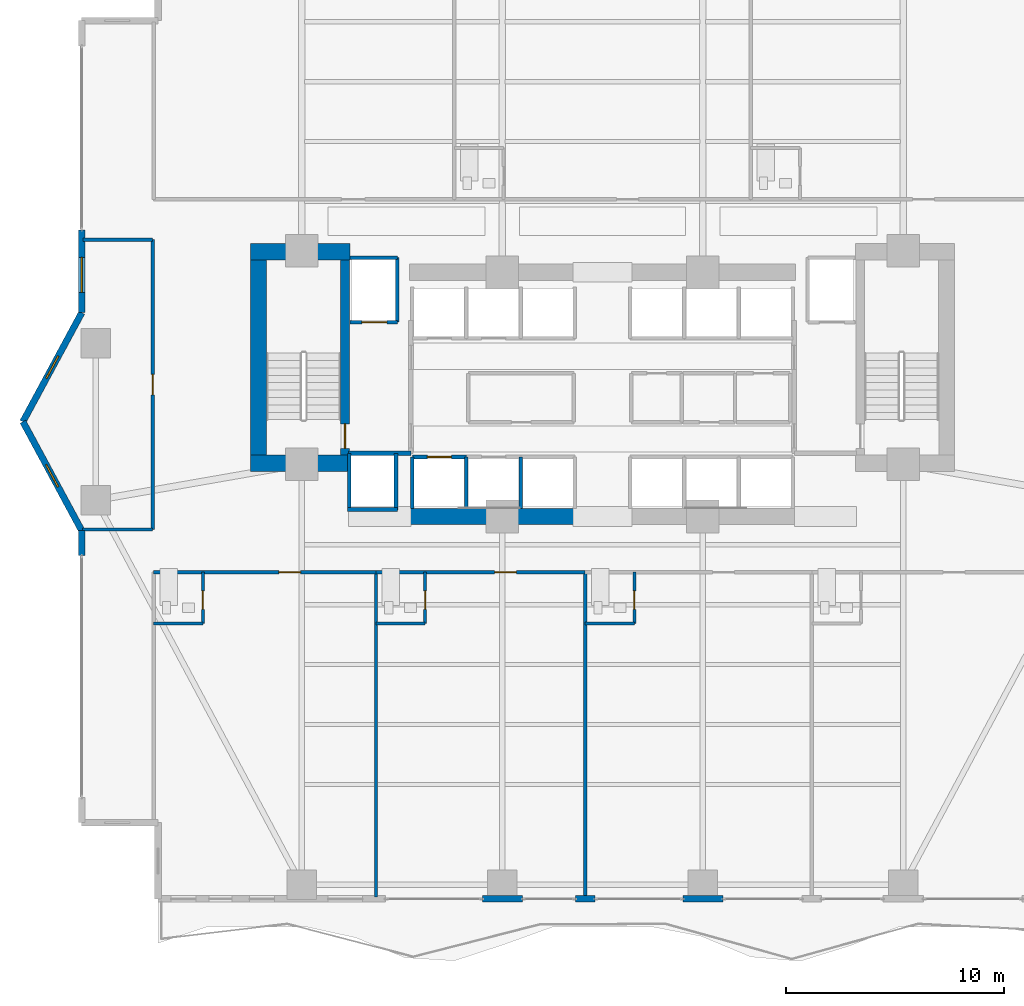
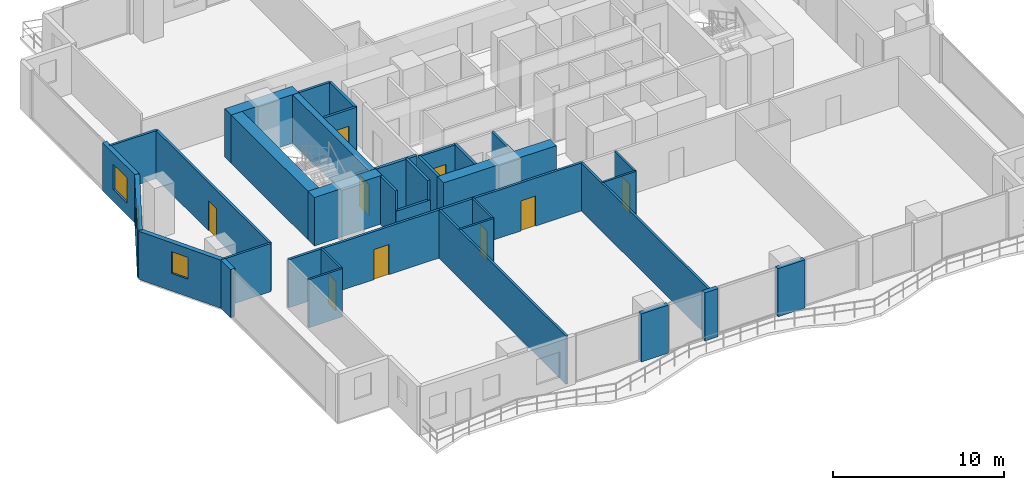
# One storey, part 21 of 28: 36 walls, 9 doors, 3 windows, 12 openings.
"""IFC4 building model written with IfcOpenShell, lengths in metres."""

from ifc_helpers import new_model, si_unit, direction, frame, frame_2d, origin, place, context, subcontext, project, spatial, rectangle, extrude, material, layer, layer_set, type_object, element, fill, save


model = new_model("IFC4")

# Units and contexts
model_context = context("Model", 3, precision=1e-05, world=origin(), true_north=direction((0.0, 1.0)))
body_context = subcontext(model_context, "Body", "Model", "MODEL_VIEW")
ifc_project = project(units=[si_unit("LENGTHUNIT", "METRE"), si_unit("AREAUNIT", "SQUARE_METRE"), si_unit("VOLUMEUNIT", "CUBIC_METRE"), si_unit("PLANEANGLEUNIT", "RADIAN"), si_unit("MASSUNIT", "GRAM", prefix="KILO")], contexts=[model_context])

# Site, building, storey
site_placement = place(None, origin())
site = spatial("IfcSite", under=ifc_project, at=site_placement, CompositionType="ELEMENT")
building_placement = place(site_placement, origin())
building = spatial("IfcBuilding", under=site, at=building_placement, Name="Zuhayl Quay Hotel", CompositionType="ELEMENT")
storey_placement = place(building_placement, frame((0.0, 0.0, 143.10009765625)))
storey = spatial("IfcBuildingStorey", under=building, at=storey_placement, Name="L36", CompositionType="ELEMENT", Elevation=143.10009765625)

# Walls
ifc_material_1 = material(Name="Concrete C60/75", Category="concrete")
ifc_layer_1 = layer(ifc_material_1, 0.75, Name="Concrete C60/75", Category="concrete")
ifc_layer_set_1 = layer_set([ifc_layer_1], Name="Concrete C60/75")
wall_type_1 = type_object("IfcWallType", Name="WL_CORE_750", PredefinedType="SHEAR", material=ifc_layer_set_1)
wall_1_placement = place(storey_placement, frame((-16.159912109375, 14.304931640625, 0.0), z_axis=(0.0, 0.0, 1.0), x_axis=(1.0, 0.0, 0.0)))
element("IfcWall", 1, at=wall_1_placement, inside=storey, type_object=wall_type_1, Name="L36 Core Shear Wall CW_NW", PredefinedType="SHEAR", context=body_context, shape_type="SweptSolid", body=[
    extrude(rectangle(XDim=4.559814453125, YDim=0.75, at=frame_2d((2.27978515625, 0.0))), origin(), (0.0, 0.0, 1.0), 3.4599609375),
])
wall_2_placement = place(storey_placement, frame((-15.784912109375, 4.969970703125, 0.0), z_axis=(0.0, 0.0, 1.0), x_axis=(0.0, 1.0, 0.0)))
element("IfcWall", 2, at=wall_2_placement, inside=storey, type_object=wall_type_1, Name="L36 Core Shear Wall CW_W", PredefinedType="SHEAR", context=body_context, shape_type="SweptSolid", body=[
    extrude(rectangle(XDim=8.9599609375, YDim=0.75, at=frame_2d((4.47998046875, 0.0))), origin(), (0.0, 0.0, 1.0), 3.4599609375),
])
wall_3_placement = place(storey_placement, frame((-16.159912109375, 4.594970703125, 0.0), z_axis=(0.0, 0.0, 1.0), x_axis=(1.0, 0.0, 0.0)))
element("IfcWall", 3, at=wall_3_placement, inside=storey, type_object=wall_type_1, Name="L36 Core Shear Wall CW_SW", PredefinedType="SHEAR", context=body_context, shape_type="SweptSolid", body=[
    extrude(rectangle(XDim=4.559814453125, YDim=0.75, at=frame_2d((2.27978515625, 0.0))), origin(), (0.0, 0.0, 1.0), 3.4599609375),
])
wall_4_placement = place(storey_placement, frame((-8.85009765625, 2.14990234375, 0.0), z_axis=(0.0, 0.0, 1.0), x_axis=(1.0, 0.0, 0.0)))
element("IfcWall", 4, at=wall_4_placement, inside=storey, type_object=wall_type_1, Name="L36 Core Shear Wall CW_SC_W", PredefinedType="SHEAR", context=body_context, shape_type="SweptSolid", body=[
    extrude(rectangle(XDim=7.60009765625, YDim=0.75, at=frame_2d((3.800048828125, 0.0))), origin(), (0.0, 0.0, 1.0), 3.429931640625),
])
ifc_material_2 = material(Name="Precast concrete C45/55", Category="concrete")
ifc_layer_2 = layer(ifc_material_2, 0.300048828125, Name="Precast concrete C45/55", Category="concrete")
ifc_layer_set_2 = layer_set([ifc_layer_2], Name="Precast concrete C45/55")
wall_type_2 = type_object("IfcWallType", Name="WL_EXT_300", PredefinedType="STANDARD", material=ifc_layer_set_2)
wall_5_placement = place(storey_placement, frame((-23.89990234375, 0.35009765625, 0.0), z_axis=(0.0, 0.0, 1.0), x_axis=(0.0, 1.0, 0.0)))
element("IfcWall", 5, at=wall_5_placement, inside=storey, type_object=wall_type_2, Name="L36 Exterior Precast Wall ENV_L36_E02_EW2", PredefinedType="STANDARD", context=body_context, shape_type="SweptSolid", body=[
    extrude(rectangle(XDim=1.14990234375, YDim=0.300048828125, at=frame_2d((0.574951171875, 0.0))), origin(), (0.0, 0.0, 1.0), 3.429931640625),
])

# Wall, opening, window
wall_6_placement = place(storey_placement, frame((-23.89990234375, 1.5, 0.0), z_axis=(0.0, 0.0, 1.0), x_axis=(-0.475175525499, 0.879891027325, 0.0)))
wall_6 = element("IfcWall", 6, at=wall_6_placement, inside=storey, type_object=wall_type_2, Name="L36 Exterior Precast Wall ENV_L36_EW03", PredefinedType="STANDARD", context=body_context, shape_type="SweptSolid", body=[
    extrude(rectangle(XDim=5.6826171875, YDim=0.300048828125, at=frame_2d((2.84130859375, 0.0))), origin(), (0.0, 0.0, 1.0), 3.429931640625),
])
opening_1_placement = place(wall_6_placement, frame((2.290283203125, 0.0, 1.25)))
opening_1 = element("IfcOpeningElement", 7, at=opening_1_placement, cuts=wall_6, Name="Opening W01N", PredefinedType="OPENING", context=body_context, shape_type="SweptSolid", body=[
    extrude(rectangle(XDim=1.14990234375, YDim=1.550048828125, at=frame_2d((0.574951171875, 0.77490234375))), frame((0.0, 0.159912109375, 0.0), z_axis=(0.0, -1.0, 0.0), x_axis=(1.0, 0.0, 0.0)), (0.0, 0.0, 1.0), 0.320068359375),
])
ifc_material_3 = material(Name="Dark Ceramic-Fritted Solar Glass", Category="glass")
window_type_1 = type_object("IfcWindowType", Name="WN_NOTCH_1350", PartitioningType="SINGLE_PANEL", PredefinedType="WINDOW", material=ifc_material_3)
window_1_placement = place(opening_1_placement, origin())
window_1 = element("IfcWindow", 8, at=window_1_placement, inside=storey, type_object=window_type_1, Name="L36 Corner Notch Window 3", OverallHeight=1.550048828125, OverallWidth=1.14990234375, PartitioningType="SINGLE_PANEL", PredefinedType="WINDOW", context=body_context, shape_type="SweptSolid", body=[
    extrude(rectangle(XDim=1.14990234375, YDim=1.550048828125, at=frame_2d((0.574951171875, 0.77490234375))), frame((0.0, 0.030029296875, 0.0), z_axis=(0.0, -1.0, 0.0), x_axis=(1.0, 0.0, 0.0)), (0.0, 0.0, 1.0), 0.06005859375),
])
fill(opening_1, window_1)

wall_7_placement = place(storey_placement, frame((-26.60009765625, 6.5, 0.0), z_axis=(0.0, 0.0, 1.0), x_axis=(0.475175525499, 0.879891027325, 0.0)))
wall_7 = element("IfcWall", 9, at=wall_7_placement, inside=storey, type_object=wall_type_2, Name="L36 Exterior Precast Wall ENV_L36_EW04", PredefinedType="STANDARD", context=body_context, shape_type="SweptSolid", body=[
    extrude(rectangle(XDim=5.6826171875, YDim=0.300048828125, at=frame_2d((2.84130859375, 0.0))), origin(), (0.0, 0.0, 1.0), 3.429931640625),
])
opening_2_placement = place(wall_7_placement, frame((2.26611328125, 0.0, 1.25)))
opening_2 = element("IfcOpeningElement", 10, at=opening_2_placement, cuts=wall_7, Name="Opening W01N", PredefinedType="OPENING", context=body_context, shape_type="SweptSolid", body=[
    extrude(rectangle(XDim=1.14990234375, YDim=1.550048828125, at=frame_2d((0.574951171875, 0.77490234375))), frame((0.0, 0.159912109375, 0.0), z_axis=(0.0, -1.0, 0.0), x_axis=(1.0, 0.0, 0.0)), (0.0, 0.0, 1.0), 0.320068359375),
])
window_2_placement = place(opening_2_placement, origin())
window_2 = element("IfcWindow", 11, at=window_2_placement, inside=storey, type_object=window_type_1, Name="L36 Corner Notch Window 4", OverallHeight=1.550048828125, OverallWidth=1.14990234375, PartitioningType="SINGLE_PANEL", PredefinedType="WINDOW", context=body_context, shape_type="SweptSolid", body=[
    extrude(rectangle(XDim=1.14990234375, YDim=1.550048828125, at=frame_2d((0.574951171875, 0.77490234375))), frame((0.0, 0.030029296875, 0.0), z_axis=(0.0, -1.0, 0.0), x_axis=(1.0, 0.0, 0.0)), (0.0, 0.0, 1.0), 0.06005859375),
])
fill(opening_2, window_2)

wall_8_placement = place(storey_placement, frame((-23.89990234375, 11.5, 0.0), z_axis=(0.0, 0.0, 1.0), x_axis=(0.0, 1.0, 0.0)))
wall_8 = element("IfcWall", 12, at=wall_8_placement, inside=storey, type_object=wall_type_2, Name="L36 Exterior Precast Wall ENV_L36_E05_EW1", PredefinedType="STANDARD", context=body_context, shape_type="SweptSolid", body=[
    extrude(rectangle(XDim=3.800048828125, YDim=0.300048828125, at=frame_2d((1.89990234375, 0.0))), origin(), (0.0, 0.0, 1.0), 3.429931640625),
])
opening_3_placement = place(wall_8_placement, frame((0.93505859375, 0.0, 0.85009765625)))
opening_3 = element("IfcOpeningElement", 13, at=opening_3_placement, cuts=wall_8, Name="Opening W01", PredefinedType="OPENING", context=body_context, shape_type="SweptSolid", body=[
    extrude(rectangle(XDim=1.60009765625, YDim=1.800048828125, at=frame_2d((0.800048828125, 0.89990234375))), frame((0.0, 0.159912109375, 0.0), z_axis=(0.0, -1.0, 0.0), x_axis=(1.0, 0.0, 0.0)), (0.0, 0.0, 1.0), 0.320068359375),
])
window_type_2 = type_object("IfcWindowType", Name="WN_OPERABLE_1600", PartitioningType="DOUBLE_PANEL_VERTICAL", PredefinedType="WINDOW", material=ifc_material_3)
window_3_placement = place(opening_3_placement, origin())
window_3 = element("IfcWindow", 14, at=window_3_placement, inside=storey, type_object=window_type_2, Name="L36 Operable Facade Window 1-1", OverallHeight=1.800048828125, OverallWidth=1.60009765625, PartitioningType="SINGLE_PANEL", PredefinedType="WINDOW", context=body_context, shape_type="SweptSolid", body=[
    extrude(rectangle(XDim=1.60009765625, YDim=1.800048828125, at=frame_2d((0.800048828125, 0.89990234375))), frame((0.0, 0.030029296875, 0.0), z_axis=(0.0, -1.0, 0.0), x_axis=(1.0, 0.0, 0.0)), (0.0, 0.0, 1.0), 0.06005859375),
])
fill(opening_3, window_3)

# Walls
wall_9_placement = place(storey_placement, frame((5.52001953125, -15.39990234375, 0.0), z_axis=(0.0, 0.0, 1.0), x_axis=(-1.0, 0.0, 0.0)))
element("IfcWall", 15, at=wall_9_placement, inside=storey, type_object=wall_type_2, Name="L36 Exterior Precast Wall ENV_L36_S_EW4", PredefinedType="STANDARD", context=body_context, shape_type="SweptSolid", body=[
    extrude(rectangle(XDim=1.840087890625, YDim=0.300048828125, at=frame_2d((0.919921875, 0.0))), origin(), (0.0, 0.0, 1.0), 3.429931640625),
])
wall_10_placement = place(storey_placement, frame((-0.35009765625, -15.39990234375, 0.0), z_axis=(0.0, 0.0, 1.0), x_axis=(-1.0, 0.0, 0.0)))
element("IfcWall", 16, at=wall_10_placement, inside=storey, type_object=wall_type_2, Name="L36 Exterior Precast Wall ENV_L36_S_EW5", PredefinedType="STANDARD", context=body_context, shape_type="SweptSolid", body=[
    extrude(rectangle(XDim=0.89990234375, YDim=0.300048828125, at=frame_2d((0.449951171875, 0.0))), origin(), (0.0, 0.0, 1.0), 3.429931640625),
])
wall_11_placement = place(storey_placement, frame((-3.679931640625, -15.39990234375, 0.0), z_axis=(0.0, 0.0, 1.0), x_axis=(-1.0, 0.0, 0.0)))
element("IfcWall", 17, at=wall_11_placement, inside=storey, type_object=wall_type_2, Name="L36 Exterior Precast Wall ENV_L36_S_EW6", PredefinedType="STANDARD", context=body_context, shape_type="SweptSolid", body=[
    extrude(rectangle(XDim=1.840087890625, YDim=0.300048828125, at=frame_2d((0.919921875, 0.0))), origin(), (0.0, 0.0, 1.0), 3.429931640625),
])
ifc_material_4 = material(Name="Acoustic Gypsum Partition STC-58")
ifc_layer_3 = layer(ifc_material_4, 0.14990234375, Name="Acoustic Gypsum Partition STC-58")
ifc_layer_set_3 = layer_set([ifc_layer_3], Name="Acoustic Gypsum Partition STC-58")
wall_type_3 = type_object("IfcWallType", Name="WL_PART_150", PredefinedType="PARTITIONING", material=ifc_layer_set_3)
for number, where, z_axis, x_axis, name in (
    (18, (-10.39990234375, -15.320068359375, 0.0), (0.0, 0.0, 1.0), (0.0, 1.0, 0.0), "L36 Partition IW_L36_SU01_E"),
    (19, (-0.800048828125, -15.320068359375, 0.0), (0.0, 0.0, 1.0), (0.0, 1.0, 0.0), "L36 Partition IW_L36_SU02_E"),
):
    element("IfcWall", number, at=place(storey_placement, frame(where, z_axis=z_axis, x_axis=x_axis)), inside=storey, type_object=wall_type_3, Name=name, PredefinedType="PARTITIONING", context=body_context, shape_type="SweptSolid", body=[
        extrude(rectangle(XDim=14.920166015625, YDim=0.14990234375, at=frame_2d((7.4599609375, 0.0))), origin(), (0.0, 0.0, 1.0), 3.429931640625),
    ])
wall_12_placement = place(storey_placement, frame((-23.866943359375, 1.550048828125, 0.0), z_axis=(0.0, 0.0, 1.0), x_axis=(1.0, 0.0, 0.0)))
element("IfcWall", 20, at=wall_12_placement, inside=storey, type_object=wall_type_3, Name="L36 Partition IW_L36_WPROW_1_S", PredefinedType="PARTITIONING", context=body_context, shape_type="SweptSolid", body=[
    extrude(rectangle(XDim=3.217041015625, YDim=0.14990234375, at=frame_2d((1.6083984375, 0.0))), origin(), (0.0, 0.0, 1.0), 3.429931640625),
])
wall_13_placement = place(storey_placement, frame((-23.840087890625, 14.85009765625, 0.0), z_axis=(0.0, 0.0, 1.0), x_axis=(1.0, 0.0, 0.0)))
element("IfcWall", 21, at=wall_13_placement, inside=storey, type_object=wall_type_3, Name="L36 Partition IW_L36_WPROW_1_N", PredefinedType="PARTITIONING", context=body_context, shape_type="SweptSolid", body=[
    extrude(rectangle(XDim=3.190185546875, YDim=0.14990234375, at=frame_2d((1.59521484375, 0.0))), origin(), (0.0, 0.0, 1.0), 3.429931640625),
])

# Wall, opening, door
ifc_layer_4 = layer(ifc_material_4, 0.159912109375, Name="Acoustic Gypsum Partition STC-58")
ifc_layer_set_4 = layer_set([ifc_layer_4], Name="Acoustic Gypsum Partition STC-58")
wall_type_4 = type_object("IfcWallType", Name="WL_PART_CORR_160", PredefinedType="PARTITIONING", material=ifc_layer_set_4)
wall_14_placement = place(storey_placement, frame((-20.60009765625, -0.39990234375, 0.0), z_axis=(0.0, 0.0, 1.0), x_axis=(1.0, 0.0, 0.0)))
wall_14 = element("IfcWall", 22, at=wall_14_placement, inside=storey, type_object=wall_type_4, Name="L36 Partition IW_L36_SU01_COR", PredefinedType="PARTITIONING", context=body_context, shape_type="SweptSolid", body=[
    extrude(rectangle(XDim=10.2001953125, YDim=0.159912109375, at=frame_2d((5.10009765625, 0.0))), origin(), (0.0, 0.0, 1.0), 3.429931640625),
])
opening_4_placement = place(wall_14_placement, frame((5.75, 0.0, 0.0)))
opening_4 = element("IfcOpeningElement", 23, at=opening_4_placement, cuts=wall_14, Name="Opening D03L", PredefinedType="OPENING", context=body_context, shape_type="SweptSolid", body=[
    extrude(rectangle(XDim=1.0, YDim=2.14990234375, at=frame_2d((0.5, 1.074951171875))), frame((0.0, 0.08984375, 0.0), z_axis=(0.0, -1.0, 0.0), x_axis=(1.0, 0.0, 0.0)), (0.0, 0.0, 1.0), 0.179931640625),
])
ifc_material_5 = material(Name="Solid Walnut Acoustic Fire Door")
door_type_1 = type_object("IfcDoorType", Name="DR_SUITE_1000", OperationType="NOTDEFINED", PredefinedType="DOOR", material=ifc_material_5)
door_1_placement = place(opening_4_placement, origin())
door_1 = element("IfcDoor", 24, at=door_1_placement, inside=storey, type_object=door_type_1, Name="L36 City-View Junior Suite L36-01 Entrance Door", OperationType="SINGLE_SWING_LEFT", OverallHeight=2.14990234375, OverallWidth=1.0, PredefinedType="DOOR", context=body_context, shape_type="SweptSolid", body=[
    extrude(rectangle(XDim=1.0, YDim=2.14990234375, at=frame_2d((0.5, 1.074951171875))), frame((0.0, 0.02490234375, 0.0), z_axis=(0.0, -1.0, 0.0), x_axis=(1.0, 0.0, 0.0)), (0.0, 0.0, 1.0), 0.050048828125),
])
fill(opening_4, door_1)

wall_15_placement = place(storey_placement, frame((-10.39990234375, -0.39990234375, 0.0), z_axis=(0.0, 0.0, 1.0), x_axis=(1.0, 0.0, 0.0)))
wall_15 = element("IfcWall", 25, at=wall_15_placement, inside=storey, type_object=wall_type_4, Name="L36 Partition IW_L36_SU02_COR", PredefinedType="PARTITIONING", context=body_context, shape_type="SweptSolid", body=[
    extrude(rectangle(XDim=9.599853515625, YDim=0.159912109375, at=frame_2d((4.7998046875, 0.0))), origin(), (0.0, 0.0, 1.0), 3.429931640625),
])
opening_5_placement = place(wall_15_placement, frame((5.449951171875, 0.0, 0.0)))
opening_5 = element("IfcOpeningElement", 26, at=opening_5_placement, cuts=wall_15, Name="Opening D03L", PredefinedType="OPENING", context=body_context, shape_type="SweptSolid", body=[
    extrude(rectangle(XDim=1.0, YDim=2.14990234375, at=frame_2d((0.5, 1.074951171875))), frame((0.0, 0.08984375, 0.0), z_axis=(0.0, -1.0, 0.0), x_axis=(1.0, 0.0, 0.0)), (0.0, 0.0, 1.0), 0.179931640625),
])
door_2_placement = place(opening_5_placement, origin())
door_2 = element("IfcDoor", 27, at=door_2_placement, inside=storey, type_object=door_type_1, Name="L36 City-View Junior Suite L36-02 Entrance Door", OperationType="SINGLE_SWING_LEFT", OverallHeight=2.14990234375, OverallWidth=1.0, PredefinedType="DOOR", context=body_context, shape_type="SweptSolid", body=[
    extrude(rectangle(XDim=1.0, YDim=2.14990234375, at=frame_2d((0.5, 1.074951171875))), frame((0.0, 0.02490234375, 0.0), z_axis=(0.0, -1.0, 0.0), x_axis=(1.0, 0.0, 0.0)), (0.0, 0.0, 1.0), 0.050048828125),
])
fill(opening_5, door_2)

wall_16_placement = place(storey_placement, frame((-20.64990234375, 1.550048828125, 0.0), z_axis=(0.0, 0.0, 1.0), x_axis=(0.0, 1.0, 0.0)))
wall_16 = element("IfcWall", 28, at=wall_16_placement, inside=storey, type_object=wall_type_4, Name="L36 Partition IW_L36_WPROW_1_E", PredefinedType="PARTITIONING", context=body_context, shape_type="SweptSolid", body=[
    extrude(rectangle(XDim=13.300048828125, YDim=0.159912109375, at=frame_2d((6.64990234375, 0.0))), origin(), (0.0, 0.0, 1.0), 3.429931640625),
])
opening_6_placement = place(wall_16_placement, frame((6.175048828125, 0.0, 0.0)))
opening_6 = element("IfcOpeningElement", 29, at=opening_6_placement, cuts=wall_16, Name="Opening D03", PredefinedType="OPENING", context=body_context, shape_type="SweptSolid", body=[
    extrude(rectangle(XDim=0.949951171875, YDim=2.14990234375, at=frame_2d((0.47509765625, 1.074951171875))), frame((0.0, 0.08984375, 0.0), z_axis=(0.0, -1.0, 0.0), x_axis=(1.0, 0.0, 0.0)), (0.0, 0.0, 1.0), 0.179931640625),
])
door_type_2 = type_object("IfcDoorType", Name="DR_SUITE_950", OperationType="NOTDEFINED", PredefinedType="DOOR", material=ifc_material_5)
door_3_placement = place(opening_6_placement, origin())
door_3 = element("IfcDoor", 30, at=door_3_placement, inside=storey, type_object=door_type_2, Name="L36 West Prow Panoramic Salon L36 Door", OperationType="SINGLE_SWING_RIGHT", OverallHeight=2.14990234375, OverallWidth=0.949951171875, PredefinedType="DOOR", context=body_context, shape_type="SweptSolid", body=[
    extrude(rectangle(XDim=0.949951171875, YDim=2.14990234375, at=frame_2d((0.47509765625, 1.074951171875))), frame((0.0, 0.02490234375, 0.0), z_axis=(0.0, -1.0, 0.0), x_axis=(1.0, 0.0, 0.0)), (0.0, 0.0, 1.0), 0.050048828125),
])
fill(opening_6, door_3)

ifc_material_6 = material(Name="Moisture-Resistant Sanitarychase Gypsum")
ifc_layer_5 = layer(ifc_material_6, 0.135009765625, Name="Moisture-Resistant Sanitarychase Gypsum")
ifc_layer_set_5 = layer_set([ifc_layer_5], Name="Moisture-Resistant Sanitarychase Gypsum")
wall_type_5 = type_object("IfcWallType", Name="WL_PART_PLUMB_150", PredefinedType="PLUMBINGWALL", material=ifc_layer_set_5)
wall_17_placement = place(storey_placement, frame((-18.340087890625, -2.760009765625, 0.0), z_axis=(0.0, 0.0, 1.0), x_axis=(0.0, 1.0, 0.0)))
wall_17 = element("IfcWall", 31, at=wall_17_placement, inside=storey, type_object=wall_type_5, Name="L36 Partition IW_L36_SU01_BE", PredefinedType="PLUMBINGWALL", context=body_context, shape_type="SweptSolid", body=[
    extrude(rectangle(XDim=2.360107421875, YDim=0.135009765625, at=frame_2d((1.18017578125, 0.0))), origin(), (0.0, 0.0, 1.0), 3.429931640625),
])
opening_7_placement = place(wall_17_placement, frame((0.64990234375, 0.0, 0.0)))
opening_7 = element("IfcOpeningElement", 32, at=opening_7_placement, cuts=wall_17, Name="Opening D04", PredefinedType="OPENING", context=body_context, shape_type="SweptSolid", body=[
    extrude(rectangle(XDim=0.85009765625, YDim=2.10009765625, at=frame_2d((0.425048828125, 1.050048828125))), frame((0.0, 0.077392578125, 0.0), z_axis=(0.0, -1.0, 0.0), x_axis=(1.0, 0.0, 0.0)), (0.0, 0.0, 1.0), 0.155029296875),
])
ifc_material_7 = material(Name="Moisture-Resistant Walnut Veneer")
door_type_3 = type_object("IfcDoorType", Name="DR_BATH_850", OperationType="NOTDEFINED", PredefinedType="DOOR", material=ifc_material_7)
door_4_placement = place(opening_7_placement, origin())
door_4 = element("IfcDoor", 33, at=door_4_placement, inside=storey, type_object=door_type_3, Name="L36 City-View Junior Suite L36-01 En-Suite Door", OperationType="SINGLE_SWING_RIGHT", OverallHeight=2.10009765625, OverallWidth=0.85009765625, PredefinedType="DOOR", context=body_context, shape_type="SweptSolid", body=[
    extrude(rectangle(XDim=0.85009765625, YDim=2.10009765625, at=frame_2d((0.425048828125, 1.050048828125))), frame((0.0, 0.02490234375, 0.0), z_axis=(0.0, -1.0, 0.0), x_axis=(1.0, 0.0, 0.0)), (0.0, 0.0, 1.0), 0.050048828125),
])
fill(opening_7, door_4)

wall_18_placement = place(storey_placement, frame((-8.139892578125, -2.760009765625, 0.0), z_axis=(0.0, 0.0, 1.0), x_axis=(0.0, 1.0, 0.0)))
wall_18 = element("IfcWall", 34, at=wall_18_placement, inside=storey, type_object=wall_type_5, Name="L36 Partition IW_L36_SU02_BE", PredefinedType="PLUMBINGWALL", context=body_context, shape_type="SweptSolid", body=[
    extrude(rectangle(XDim=2.360107421875, YDim=0.135009765625, at=frame_2d((1.18017578125, 0.0))), origin(), (0.0, 0.0, 1.0), 3.429931640625),
])
opening_8_placement = place(wall_18_placement, frame((0.64990234375, 0.0, 0.0)))
opening_8 = element("IfcOpeningElement", 35, at=opening_8_placement, cuts=wall_18, Name="Opening D04", PredefinedType="OPENING", context=body_context, shape_type="SweptSolid", body=[
    extrude(rectangle(XDim=0.85009765625, YDim=2.10009765625, at=frame_2d((0.425048828125, 1.050048828125))), frame((0.0, 0.077392578125, 0.0), z_axis=(0.0, -1.0, 0.0), x_axis=(1.0, 0.0, 0.0)), (0.0, 0.0, 1.0), 0.155029296875),
])
door_5_placement = place(opening_8_placement, origin())
door_5 = element("IfcDoor", 36, at=door_5_placement, inside=storey, type_object=door_type_3, Name="L36 City-View Junior Suite L36-02 En-Suite Door", OperationType="SINGLE_SWING_RIGHT", OverallHeight=2.10009765625, OverallWidth=0.85009765625, PredefinedType="DOOR", context=body_context, shape_type="SweptSolid", body=[
    extrude(rectangle(XDim=0.85009765625, YDim=2.10009765625, at=frame_2d((0.425048828125, 1.050048828125))), frame((0.0, 0.02490234375, 0.0), z_axis=(0.0, -1.0, 0.0), x_axis=(1.0, 0.0, 0.0)), (0.0, 0.0, 1.0), 0.050048828125),
])
fill(opening_8, door_5)

wall_19_placement = place(storey_placement, frame((1.4599609375, -2.760009765625, 0.0), z_axis=(0.0, 0.0, 1.0), x_axis=(0.0, 1.0, 0.0)))
wall_19 = element("IfcWall", 37, at=wall_19_placement, inside=storey, type_object=wall_type_5, Name="L36 Partition IW_L36_SU03_BE", PredefinedType="PLUMBINGWALL", context=body_context, shape_type="SweptSolid", body=[
    extrude(rectangle(XDim=2.360107421875, YDim=0.135009765625, at=frame_2d((1.18017578125, 0.0))), origin(), (0.0, 0.0, 1.0), 3.429931640625),
])
opening_9_placement = place(wall_19_placement, frame((0.64990234375, 0.0, 0.0)))
opening_9 = element("IfcOpeningElement", 38, at=opening_9_placement, cuts=wall_19, Name="Opening D04", PredefinedType="OPENING", context=body_context, shape_type="SweptSolid", body=[
    extrude(rectangle(XDim=0.85009765625, YDim=2.10009765625, at=frame_2d((0.425048828125, 1.050048828125))), frame((0.0, 0.077392578125, 0.0), z_axis=(0.0, -1.0, 0.0), x_axis=(1.0, 0.0, 0.0)), (0.0, 0.0, 1.0), 0.155029296875),
])
door_6_placement = place(opening_9_placement, origin())
door_6 = element("IfcDoor", 39, at=door_6_placement, inside=storey, type_object=door_type_3, Name="L36 City-View Junior Suite L36-03 En-Suite Door", OperationType="SINGLE_SWING_RIGHT", OverallHeight=2.10009765625, OverallWidth=0.85009765625, PredefinedType="DOOR", context=body_context, shape_type="SweptSolid", body=[
    extrude(rectangle(XDim=0.85009765625, YDim=2.10009765625, at=frame_2d((0.425048828125, 1.050048828125))), frame((0.0, 0.02490234375, 0.0), z_axis=(0.0, -1.0, 0.0), x_axis=(1.0, 0.0, 0.0)), (0.0, 0.0, 1.0), 0.050048828125),
])
fill(opening_9, door_6)

# Walls
for number, where, z_axis, x_axis, name in (
    (40, (-20.60009765625, -2.760009765625, 0.0), (0.0, 0.0, 1.0), (1.0, 0.0, 0.0), "L36 Partition IW_L36_SU01_BS"),
    (41, (-10.39990234375, -2.760009765625, 0.0), (0.0, 0.0, 1.0), (1.0, 0.0, 0.0), "L36 Partition IW_L36_SU02_BS"),
    (42, (-0.800048828125, -2.760009765625, 0.0), (0.0, 0.0, 1.0), (1.0, 0.0, 0.0), "L36 Partition IW_L36_SU03_BS"),
):
    element("IfcWall", number, at=place(storey_placement, frame(where, z_axis=z_axis, x_axis=x_axis)), inside=storey, type_object=wall_type_5, Name=name, PredefinedType="PLUMBINGWALL", context=body_context, shape_type="SweptSolid", body=[
        extrude(rectangle(XDim=2.260009765625, YDim=0.135009765625, at=frame_2d((1.1298828125, 0.0))), origin(), (0.0, 0.0, 1.0), 3.429931640625),
    ])

# Wall, opening, door
ifc_material_8 = material(Name="Gypsum Fireboard Assembly EI-90")
ifc_layer_6 = layer(ifc_material_8, 0.1650390625, Name="Gypsum Fireboard Assembly EI-90")
ifc_layer_set_6 = layer_set([ifc_layer_6], Name="Gypsum Fireboard Assembly EI-90")
wall_type_6 = type_object("IfcWallType", Name="WL_PART_SHAFT_160", PredefinedType="PARTITIONING", material=ifc_layer_set_6)
wall_20_placement = place(storey_placement, frame((-11.580078125, 11.070068359375, 0.0), z_axis=(0.0, 0.0, 1.0), x_axis=(1.0, 0.0, 0.0)))
wall_20 = element("IfcWall", 43, at=wall_20_placement, inside=storey, type_object=wall_type_6, Name="L36 Partition IW_L36_SH_FL1_F", PredefinedType="PARTITIONING", context=body_context, shape_type="SweptSolid", body=[
    extrude(rectangle(XDim=2.16015625, YDim=0.1650390625, at=frame_2d((1.080078125, 0.0))), origin(), (0.0, 0.0, 1.0), 3.429931640625),
])
opening_10_placement = place(wall_20_placement, frame((0.530029296875, 0.0, 0.0)))
opening_10 = element("IfcOpeningElement", 44, at=opening_10_placement, cuts=wall_20, Name="Opening LD2", PredefinedType="OPENING", context=body_context, shape_type="SweptSolid", body=[
    extrude(rectangle(XDim=1.14990234375, YDim=2.25, at=frame_2d((0.574951171875, 1.125))), frame((0.0, 0.092529296875, 0.0), z_axis=(0.0, -1.0, 0.0), x_axis=(1.0, 0.0, 0.0)), (0.0, 0.0, 1.0), 0.18505859375),
])
ifc_material_9 = material(Name="Brushed Stainless Steel", Category="steel")
door_type_4 = type_object("IfcDoorType", Name="DR_LIFT_FF_1100", OperationType="SLIDING_TO_LEFT", PredefinedType="DOOR", material=ifc_material_9)
door_7_placement = place(opening_10_placement, origin())
door_7 = element("IfcDoor", 45, at=door_7_placement, inside=storey, type_object=door_type_4, Name="L36 Lift FL1 Sliding Landing Door", OperationType="SLIDING_TO_LEFT", OverallHeight=2.25, OverallWidth=1.14990234375, PredefinedType="DOOR", context=body_context, shape_type="SweptSolid", body=[
    extrude(rectangle(XDim=1.14990234375, YDim=2.25, at=frame_2d((0.574951171875, 1.125))), frame((0.0, 0.02490234375, 0.0), z_axis=(0.0, -1.0, 0.0), x_axis=(1.0, 0.0, 0.0)), (0.0, 0.0, 1.0), 0.050048828125),
])
fill(opening_10, door_7)

wall_21_placement = place(storey_placement, frame((-8.72998046875, 4.8798828125, 0.0), z_axis=(0.0, 0.0, 1.0), x_axis=(1.0, 0.0, 0.0)))
wall_21 = element("IfcWall", 46, at=wall_21_placement, inside=storey, type_object=wall_type_6, Name="L36 Partition IW_L36_SH_LP1_F", PredefinedType="PARTITIONING", context=body_context, shape_type="SweptSolid", body=[
    extrude(rectangle(XDim=2.47998046875, YDim=0.1650390625, at=frame_2d((1.239990234375, 0.0))), origin(), (0.0, 0.0, 1.0), 3.429931640625),
])
opening_11_placement = place(wall_21_placement, frame((0.68994140625, 0.0, 0.0)))
opening_11 = element("IfcOpeningElement", 47, at=opening_11_placement, cuts=wall_21, Name="Opening LD1", PredefinedType="OPENING", context=body_context, shape_type="SweptSolid", body=[
    extrude(rectangle(XDim=1.10009765625, YDim=2.25, at=frame_2d((0.550048828125, 1.125))), frame((0.0, 0.092529296875, 0.0), z_axis=(0.0, -1.0, 0.0), x_axis=(1.0, 0.0, 0.0)), (0.0, 0.0, 1.0), 0.18505859375),
])
door_type_5 = type_object("IfcDoorType", Name="DR_LIFT_PASS_1100", OperationType="SLIDING_TO_LEFT", PredefinedType="DOOR", material=ifc_material_9)
door_8_placement = place(opening_11_placement, origin())
door_8 = element("IfcDoor", 48, at=door_8_placement, inside=storey, type_object=door_type_5, Name="L36 Lift LP1 Sliding Landing Door", OperationType="SLIDING_TO_LEFT", OverallHeight=2.25, OverallWidth=1.10009765625, PredefinedType="DOOR", context=body_context, shape_type="SweptSolid", body=[
    extrude(rectangle(XDim=1.10009765625, YDim=2.25, at=frame_2d((0.550048828125, 1.125))), frame((0.0, 0.02490234375, 0.0), z_axis=(0.0, -1.0, 0.0), x_axis=(1.0, 0.0, 0.0)), (0.0, 0.0, 1.0), 0.050048828125),
])
fill(opening_11, door_8)

# Walls
wall_22_placement = place(storey_placement, frame((-9.419921875, 11.070068359375, 0.0), z_axis=(0.0, 0.0, 1.0), x_axis=(0.0, 1.0, 0.0)))
element("IfcWall", 49, at=wall_22_placement, inside=storey, type_object=wall_type_6, Name="L36 Partition IW_L36_SH_FL1_E", PredefinedType="PARTITIONING", context=body_context, shape_type="SweptSolid", body=[
    extrude(rectangle(XDim=2.9599609375, YDim=0.1650390625, at=frame_2d((1.47998046875, 0.0))), origin(), (0.0, 0.0, 1.0), 3.429931640625),
])
wall_23_placement = place(storey_placement, frame((-11.580078125, 14.030029296875, 0.0), z_axis=(0.0, 0.0, 1.0), x_axis=(1.0, 0.0, 0.0)))
element("IfcWall", 50, at=wall_23_placement, inside=storey, type_object=wall_type_6, Name="L36 Partition IW_L36_SH_FL1_B", PredefinedType="PARTITIONING", context=body_context, shape_type="SweptSolid", body=[
    extrude(rectangle(XDim=2.16015625, YDim=0.1650390625, at=frame_2d((1.080078125, 0.0))), origin(), (0.0, 0.0, 1.0), 3.429931640625),
])
for number, where, z_axis, x_axis, name in (
    (51, (-8.72998046875, 2.52001953125, 0.0), (0.0, 0.0, 1.0), (0.0, 1.0, 0.0), "L36 Partition IW_L36_SH_LP1_W"),
    (52, (-6.25, 2.52001953125, 0.0), (0.0, 0.0, 1.0), (0.0, 1.0, 0.0), "L36 Partition IW_L36_SH_LP1_E"),
    (53, (-3.75, 2.52001953125, 0.0), (0.0, 0.0, 1.0), (0.0, 1.0, 0.0), "L36 Partition IW_L36_SH_LP2_E"),
):
    element("IfcWall", number, at=place(storey_placement, frame(where, z_axis=z_axis, x_axis=x_axis)), inside=storey, type_object=wall_type_6, Name=name, PredefinedType="PARTITIONING", context=body_context, shape_type="SweptSolid", body=[
        extrude(rectangle(XDim=2.35986328125, YDim=0.1650390625, at=frame_2d((1.179931640625, 0.0))), origin(), (0.0, 0.0, 1.0), 3.429931640625),
    ])
wall_24_placement = place(storey_placement, frame((-11.6298828125, 2.469970703125, 0.0), z_axis=(0.0, 0.0, 1.0), x_axis=(0.0, 1.0, 0.0)))
element("IfcWall", 54, at=wall_24_placement, inside=storey, type_object=wall_type_6, Name="L36 Partition IW_L36_RISER_W", PredefinedType="PARTITIONING", context=body_context, shape_type="SweptSolid", body=[
    extrude(rectangle(XDim=2.580078125, YDim=0.1650390625, at=frame_2d((1.2900390625, 0.0))), origin(), (0.0, 0.0, 1.0), 3.429931640625),
])
wall_25_placement = place(storey_placement, frame((-11.7099609375, 2.469970703125, 0.0), z_axis=(0.0, 0.0, 1.0), x_axis=(1.0, 0.0, 0.0)))
element("IfcWall", 55, at=wall_25_placement, inside=storey, type_object=wall_type_6, Name="L36 Partition IW_L36_RISER_S", PredefinedType="PARTITIONING", context=body_context, shape_type="SweptSolid", body=[
    extrude(rectangle(XDim=2.31005859375, YDim=0.1650390625, at=frame_2d((1.155029296875, 0.0))), origin(), (0.0, 0.0, 1.0), 2.02978515625),
])
ifc_layer_7 = layer(ifc_material_8, 0.179931640625, Name="Gypsum Fireboard Assembly EI-90")
ifc_layer_set_7 = layer_set([ifc_layer_7], Name="Gypsum Fireboard Assembly EI-90")
wall_type_7 = type_object("IfcWallType", Name="WL_PART_SHAFT_180", PredefinedType="PARTITIONING", material=ifc_layer_set_7)
wall_26_placement = place(storey_placement, frame((-9.469970703125, 2.449951171875, 0.0), z_axis=(0.0, 0.0, 1.0), x_axis=(0.0, 1.0, 0.0)))
element("IfcWall", 56, at=wall_26_placement, inside=storey, type_object=wall_type_7, Name="L36 Partition IW_L36_RISER_E", PredefinedType="PARTITIONING", context=body_context, shape_type="SweptSolid", body=[
    extrude(rectangle(XDim=2.60009765625, YDim=0.179931640625, at=frame_2d((1.300048828125, 0.0))), origin(), (0.0, 0.0, 1.0), 3.429931640625),
])
ifc_material_10 = material(Name="Gypsum Fireboard Assembly EI-120")
ifc_layer_8 = layer(ifc_material_10, 0.199951171875, Name="Gypsum Fireboard Assembly EI-120")
ifc_layer_set_8 = layer_set([ifc_layer_8], Name="Gypsum Fireboard Assembly EI-120")
wall_type_8 = type_object("IfcWallType", Name="WL_PART_SHAFT_200", PredefinedType="PARTITIONING", material=ifc_layer_set_8)
wall_27_placement = place(storey_placement, frame((-11.64990234375, 5.050048828125, 0.0), z_axis=(0.0, 0.0, 1.0), x_axis=(1.0, 0.0, 0.0)))
element("IfcWall", 57, at=wall_27_placement, inside=storey, type_object=wall_type_8, Name="L36 Partition IW_L36_FSAE_W_S", PredefinedType="PARTITIONING", context=body_context, shape_type="SweptSolid", body=[
    extrude(rectangle(XDim=2.849853515625, YDim=0.199951171875, at=frame_2d((1.4248046875, 0.0))), origin(), (0.0, 0.0, 1.0), 3.429931640625),
])

# Wall, opening, door
ifc_layer_9 = layer(ifc_material_1, 0.39990234375, Name="Concrete C60/75", Category="concrete")
ifc_layer_set_9 = layer_set([ifc_layer_9], Name="Concrete C60/75")
wall_type_9 = type_object("IfcWallType", Name="WL_STAIR_400", PredefinedType="SHEAR", material=ifc_layer_set_9)
wall_28_placement = place(storey_placement, frame((-11.820068359375, 4.969970703125, 0.0), z_axis=(0.0, 0.0, 1.0), x_axis=(0.0, 1.0, 0.0)))
wall_28 = element("IfcWall", 58, at=wall_28_placement, inside=storey, type_object=wall_type_9, Name="L36 Core Shear Wall SW_ST1", PredefinedType="SHEAR", context=body_context, shape_type="SweptSolid", body=[
    extrude(rectangle(XDim=8.9599609375, YDim=0.39990234375, at=frame_2d((4.47998046875, 0.0))), origin(), (0.0, 0.0, 1.0), 3.4599609375),
])
opening_12_placement = place(wall_28_placement, frame((0.31005859375, 0.0, 0.0)))
opening_12 = element("IfcOpeningElement", 59, at=opening_12_placement, cuts=wall_28, Name="Opening D01", PredefinedType="OPENING", context=body_context, shape_type="SweptSolid", body=[
    extrude(rectangle(XDim=1.1201171875, YDim=2.219970703125, at=frame_2d((0.56005859375, 1.10986328125))), frame((0.0, 0.2099609375, 0.0), z_axis=(0.0, -1.0, 0.0), x_axis=(1.0, 0.0, 0.0)), (0.0, 0.0, 1.0), 0.419921875),
])
ifc_material_11 = material(Name="Steel ASTM A992 Grade 50", Category="steel")
door_type_6 = type_object("IfcDoorType", Name="DR_STAIR_90_1100", OperationType="NOTDEFINED", PredefinedType="DOOR", material=ifc_material_11)
door_9_placement = place(opening_12_placement, origin())
door_9 = element("IfcDoor", 60, at=door_9_placement, inside=storey, type_object=door_type_6, Name="L36 Smokeproof Exit Stair ST1 Door", OperationType="SINGLE_SWING_LEFT", OverallHeight=2.219970703125, OverallWidth=1.1201171875, PredefinedType="DOOR", context=body_context, shape_type="SweptSolid", body=[
    extrude(rectangle(XDim=1.1201171875, YDim=2.219970703125, at=frame_2d((0.56005859375, 1.10986328125))), frame((0.0, 0.02490234375, 0.0), z_axis=(0.0, -1.0, 0.0), x_axis=(1.0, 0.0, 0.0)), (0.0, 0.0, 1.0), 0.050048828125),
])
fill(opening_12, door_9)

save(model, "model.ifc")
